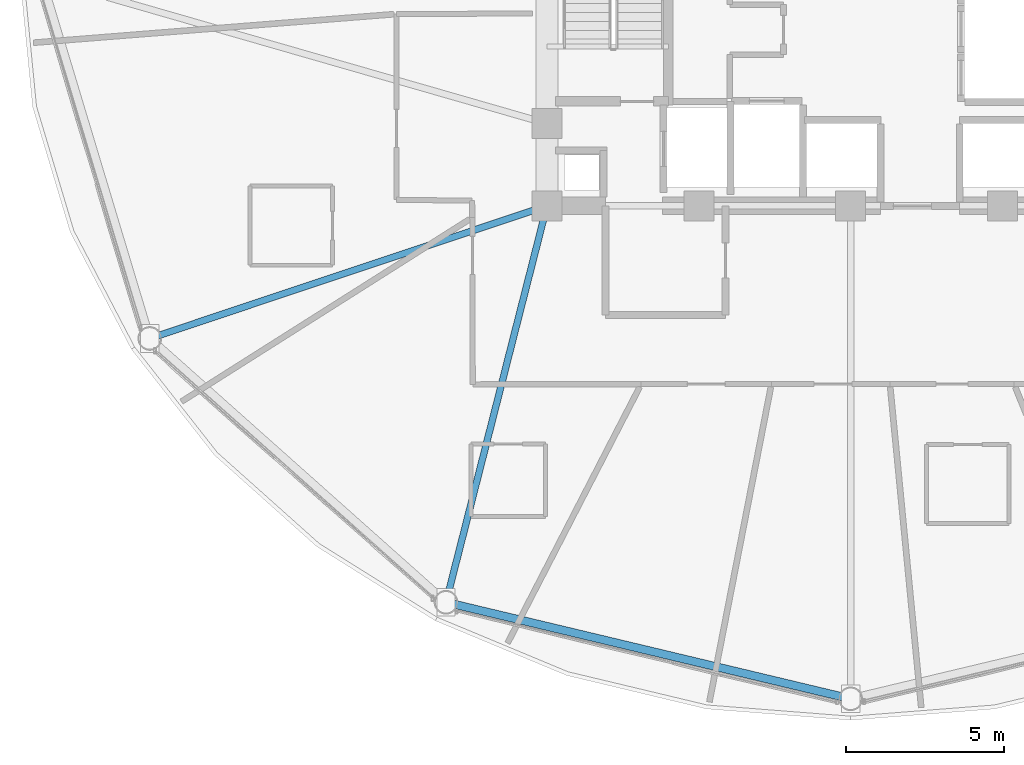
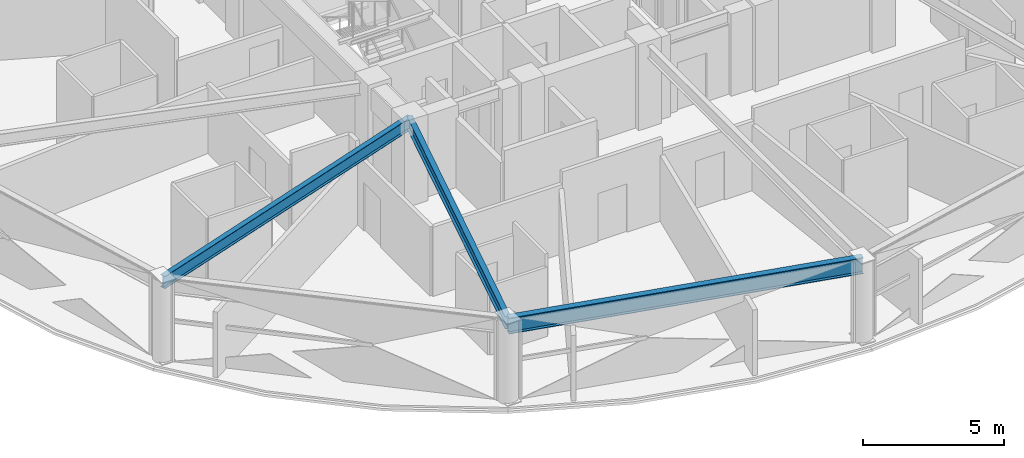
# One storey, part 4 of 32: 3 beams.
"""IFC4 building model written with IfcOpenShell, lengths in metres."""

from ifc_helpers import new_model, si_unit, direction, frame, origin, origin_2d, place, context, subcontext, project, spatial, i_section, extrude, material, material_profile, profile_set, type_object, element, save


model = new_model("IFC4")

# Units and contexts
model_context = context("Model", 3, precision=1e-05, world=origin(), true_north=direction((0.0, 1.0)))
body_context = subcontext(model_context, "Body", "Model", "MODEL_VIEW")
ifc_project = project(units=[si_unit("LENGTHUNIT", "METRE"), si_unit("AREAUNIT", "SQUARE_METRE"), si_unit("VOLUMEUNIT", "CUBIC_METRE"), si_unit("PLANEANGLEUNIT", "RADIAN"), si_unit("MASSUNIT", "GRAM", prefix="KILO")], contexts=[model_context])

# Site, building, storey
site_placement = place(None, origin())
site = spatial("IfcSite", under=ifc_project, at=site_placement, CompositionType="ELEMENT")
building_placement = place(site_placement, origin())
building = spatial("IfcBuilding", under=site, at=building_placement, Name="Vantalir Tower", CompositionType="ELEMENT")
storey_placement = place(building_placement, frame((0.0, 0.0, 108.449951171875)))
storey = spatial("IfcBuildingStorey", under=building, at=storey_placement, Name="L26", CompositionType="ELEMENT", Elevation=108.449951171875)

# Beams
ifc_material_1 = material(Name="Steel S355", Category="steel")
ifc_material_profile_1 = material_profile(ifc_material_1, i_section(OverallWidth=0.2109375, OverallDepth=0.5390625, WebThickness=0.01171875, FlangeThickness=0.018798828125, at=origin_2d()), Name="Steel S355")
ifc_profile_set_1 = profile_set([ifc_material_profile_1], Name="Steel S355")
beam_type_1 = type_object("IfcBeamType", Name="BM-RB-533x210", PredefinedType="BEAM", material=ifc_profile_set_1)
beam_1_placement = place(storey_placement, frame((9.340087890625, 13.60595703125, 3.300048828125), z_axis=(0.948513537224, 0.316736593565, 0.0), x_axis=(-0.316736593565, 0.948513537224, 0.0)))
element("IfcBeam", 1, at=beam_1_placement, inside=storey, type_object=beam_type_1, Name="L26 Radial Floor Beam 08", PredefinedType="BEAM", context=body_context, shape_type="SweptSolid", body=[
    extrude(i_section(OverallWidth=0.2109375, OverallDepth=0.5390625, WebThickness=0.01171875, FlangeThickness=0.018798828125, at=origin_2d()), origin(), (0.0, 0.0, 1.0), 13.241455078125),
])
beam_2_placement = place(storey_placement, frame((18.7060546875, 5.264892578125, 3.300048828125), z_axis=(0.246902931602, 0.969040217105, 0.0), x_axis=(-0.969040217105, 0.246902931602, 0.0)))
element("IfcBeam", 2, at=beam_2_placement, inside=storey, type_object=beam_type_1, Name="L26 Radial Floor Beam 09", PredefinedType="BEAM", context=body_context, shape_type="SweptSolid", body=[
    extrude(i_section(OverallWidth=0.2109375, OverallDepth=0.5390625, WebThickness=0.01171875, FlangeThickness=0.018798828125, at=origin_2d()), origin(), (0.0, 0.0, 1.0), 12.935546875),
])
ifc_material_2 = material(Name="Steel S460", Category="steel")
ifc_material_profile_2 = material_profile(ifc_material_2, i_section(OverallWidth=0.256103515625, OverallDepth=0.693115234375, WebThickness=0.014404296875, FlangeThickness=0.023681640625, at=origin_2d()), Name="Steel S460")
ifc_profile_set_2 = profile_set([ifc_material_profile_2], Name="Steel S460")
beam_type_2 = type_object("IfcBeamType", Name="BM-RG-686x254", PredefinedType="USERDEFINED", material=ifc_profile_set_2)
beam_3_placement = place(storey_placement, frame((18.7060546875, 5.264892578125, 3.22314453125), z_axis=(0.972689585219, -0.232109824883, 0.0), x_axis=(0.232109824883, 0.972689585219, 0.0)))
element("IfcBeam", 3, at=beam_3_placement, inside=storey, type_object=beam_type_2, Name="L26 Circumferential Ring Girder 09", ObjectType="GIRDER", PredefinedType="USERDEFINED", context=body_context, shape_type="SweptSolid", body=[
    extrude(i_section(OverallWidth=0.256103515625, OverallDepth=0.693115234375, WebThickness=0.014404296875, FlangeThickness=0.023681640625, at=origin_2d()), origin(), (0.0, 0.0, 1.0), 13.153076171875),
])

save(model, "model.ifc")
